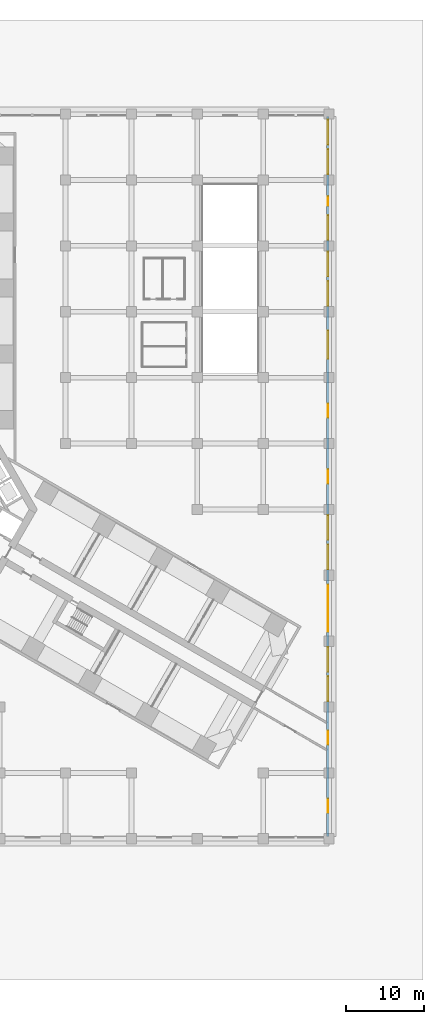
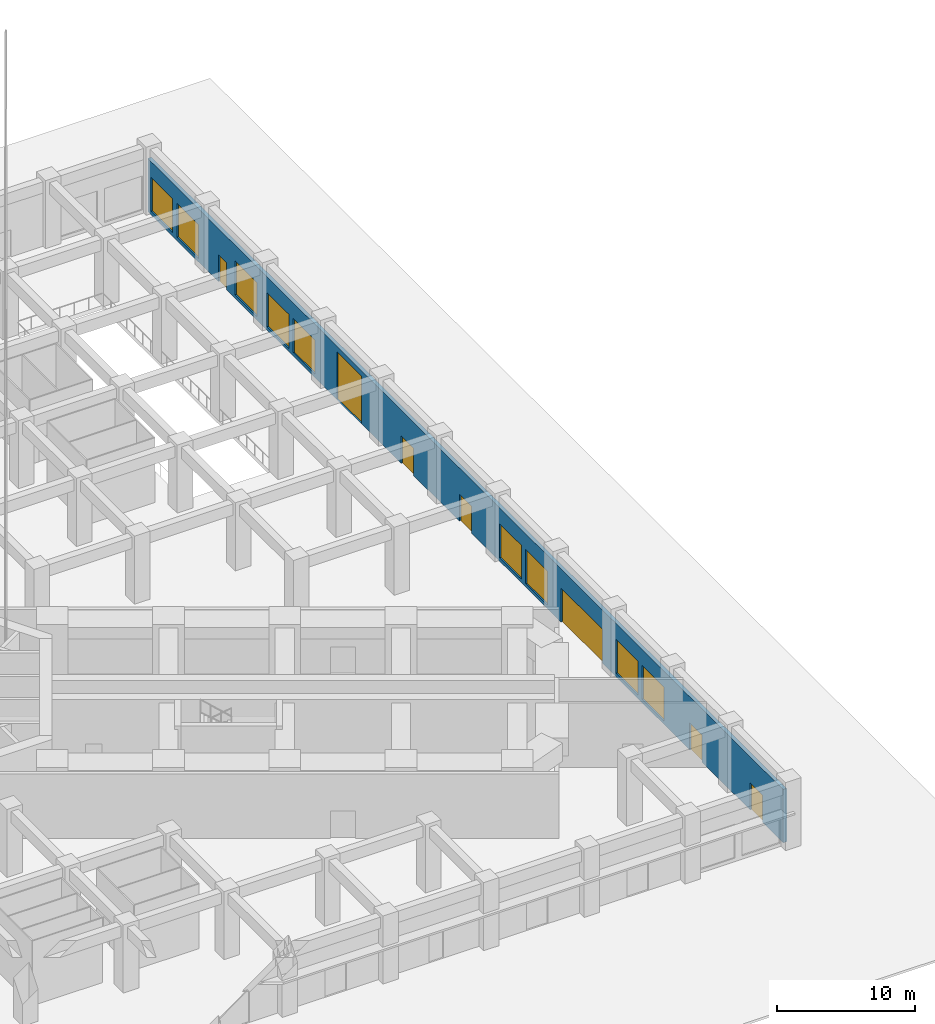
# One storey, part 12 of 33: 9 windows, 7 doors, 1 wall, 16 openings.
"""IFC4 building model written with IfcOpenShell, lengths in metres."""

from ifc_helpers import new_model, si_unit, direction, frame, frame_2d, origin, place, context, subcontext, project, spatial, rectangle, extrude, material, layer, layer_set, type_object, element, fill, save


model = new_model("IFC4")

# Units and contexts
model_context = context("Model", 3, precision=1e-05, world=origin(), true_north=direction((0.0, 1.0)))
body_context = subcontext(model_context, "Body", "Model", "MODEL_VIEW")
ifc_project = project(units=[si_unit("LENGTHUNIT", "METRE"), si_unit("AREAUNIT", "SQUARE_METRE"), si_unit("VOLUMEUNIT", "CUBIC_METRE"), si_unit("PLANEANGLEUNIT", "RADIAN"), si_unit("MASSUNIT", "GRAM", prefix="KILO")], contexts=[model_context])

# Site, building, storey
site_placement = place(None, origin())
site = spatial("IfcSite", under=ifc_project, at=site_placement, CompositionType="ELEMENT")
building_placement = place(site_placement, origin())
building = spatial("IfcBuilding", under=site, at=building_placement, Name="Impinga Residences", CompositionType="ELEMENT")
storey_placement = place(building_placement, origin())
storey = spatial("IfcBuildingStorey", under=building, at=storey_placement, Name="L00", CompositionType="ELEMENT", Elevation=0.0)

# Wall, openings, doors, windows
ifc_material_1 = material(Name="Stone facing on blockwork", Category="masonry")
ifc_layer = layer(ifc_material_1, 0.300048828125)
ifc_layer_set = layer_set([ifc_layer], Name="EW2 external wall, stone facing on blockwork 300")
wall_type = type_object("IfcWallType", Name="EW2 external wall, stone facing on blockwork 300", PredefinedType="SOLIDWALL", material=ifc_layer_set)
wall_placement = place(storey_placement, frame((50.25, 50.10009765625, 0.0), z_axis=(0.0, 0.0, 1.0), x_axis=(0.0, -1.0, 0.0)))
wall = element("IfcWall", 1, at=wall_placement, inside=storey, type_object=wall_type, Name="External wall EW2 L00", PredefinedType="SOLIDWALL", context=body_context, shape_type="SweptSolid", body=[
    extrude(rectangle(XDim=91.800048828125, YDim=0.300048828125, at=frame_2d((45.89990234375, 0.0))), origin(), (0.0, 0.0, 1.0), 4.699951171875),
])
opening_1_placement = place(wall_placement, frame((10.18798828125, 0.0, 0.0)))
opening_1 = element("IfcOpeningElement", 2, at=opening_1_placement, cuts=wall, Name="Opening ED2", PredefinedType="OPENING", context=body_context, shape_type="SweptSolid", body=[
    extrude(rectangle(XDim=1.199951171875, YDim=2.39990234375, at=frame_2d((0.60009765625, 1.199951171875))), frame((0.0, 0.159912109375, 0.0), z_axis=(0.0, -1.0, 0.0), x_axis=(1.0, 0.0, 0.0)), (0.0, 0.0, 1.0), 0.320068359375),
])
opening_2_placement = place(wall_placement, frame((27.300048828125, 0.0, 0.0)))
opening_2 = element("IfcOpeningElement", 3, at=opening_2_placement, cuts=wall, Name="Opening ED3", PredefinedType="OPENING", context=body_context, shape_type="SweptSolid", body=[
    extrude(rectangle(XDim=3.60009765625, YDim=4.199951171875, at=frame_2d((1.800048828125, 2.10009765625))), frame((0.0, 0.159912109375, 0.0), z_axis=(0.0, -1.0, 0.0), x_axis=(1.0, 0.0, 0.0)), (0.0, 0.0, 1.0), 0.320068359375),
])
opening_3_placement = place(wall_placement, frame((36.60009765625, 0.0, 0.0)))
opening_3 = element("IfcOpeningElement", 4, at=opening_3_placement, cuts=wall, Name="Opening ED6", PredefinedType="OPENING", context=body_context, shape_type="SweptSolid", body=[
    extrude(rectangle(XDim=1.800048828125, YDim=2.39990234375, at=frame_2d((0.89990234375, 1.199951171875))), frame((0.0, 0.159912109375, 0.0), z_axis=(0.0, -1.0, 0.0), x_axis=(1.0, 0.0, 0.0)), (0.0, 0.0, 1.0), 0.320068359375),
])
opening_4_placement = place(wall_placement, frame((45.0, 0.0, 0.0)))
opening_4 = element("IfcOpeningElement", 5, at=opening_4_placement, cuts=wall, Name="Opening ED6", PredefinedType="OPENING", context=body_context, shape_type="SweptSolid", body=[
    extrude(rectangle(XDim=1.800048828125, YDim=2.39990234375, at=frame_2d((0.89990234375, 1.199951171875))), frame((0.0, 0.159912109375, 0.0), z_axis=(0.0, -1.0, 0.0), x_axis=(1.0, 0.0, 0.0)), (0.0, 0.0, 1.0), 0.320068359375),
])
opening_5_placement = place(wall_placement, frame((59.699951171875, 0.0, 0.0)))
opening_5 = element("IfcOpeningElement", 6, at=opening_5_placement, cuts=wall, Name="Opening ED4", PredefinedType="OPENING", context=body_context, shape_type="SweptSolid", body=[
    extrude(rectangle(XDim=6.0, YDim=3.0, at=frame_2d((3.0, 1.5))), frame((0.0, 0.159912109375, 0.0), z_axis=(0.0, -1.0, 0.0), x_axis=(1.0, 0.0, 0.0)), (0.0, 0.0, 1.0), 0.320068359375),
])
opening_6_placement = place(wall_placement, frame((78.298095703125, 0.0, 0.0)))
opening_6 = element("IfcOpeningElement", 7, at=opening_6_placement, cuts=wall, Name="Opening ED6", PredefinedType="OPENING", context=body_context, shape_type="SweptSolid", body=[
    extrude(rectangle(XDim=1.800048828125, YDim=2.39990234375, at=frame_2d((0.89990234375, 1.199951171875))), frame((0.0, 0.159912109375, 0.0), z_axis=(0.0, -1.0, 0.0), x_axis=(1.0, 0.0, 0.0)), (0.0, 0.0, 1.0), 0.320068359375),
])
opening_7_placement = place(wall_placement, frame((87.0, 0.0, 0.0)))
opening_7 = element("IfcOpeningElement", 8, at=opening_7_placement, cuts=wall, Name="Opening ED6", PredefinedType="OPENING", context=body_context, shape_type="SweptSolid", body=[
    extrude(rectangle(XDim=1.800048828125, YDim=2.39990234375, at=frame_2d((0.89990234375, 1.199951171875))), frame((0.0, 0.159912109375, 0.0), z_axis=(0.0, -1.0, 0.0), x_axis=(1.0, 0.0, 0.0)), (0.0, 0.0, 1.0), 0.320068359375),
])
opening_8_placement = place(wall_placement, frame((0.449951171875, 0.0, 0.300048828125)))
opening_8 = element("IfcOpeningElement", 9, at=opening_8_placement, cuts=wall, Name="Opening SH1", PredefinedType="OPENING", context=body_context, shape_type="SweptSolid", body=[
    extrude(rectangle(XDim=3.14990234375, YDim=3.0, at=frame_2d((1.574951171875, 1.5))), frame((0.0, 0.159912109375, 0.0), z_axis=(0.0, -1.0, 0.0), x_axis=(1.0, 0.0, 0.0)), (0.0, 0.0, 1.0), 0.320068359375),
])
opening_9_placement = place(wall_placement, frame((4.199951171875, 0.0, 0.300048828125)))
opening_9 = element("IfcOpeningElement", 10, at=opening_9_placement, cuts=wall, Name="Opening SH1", PredefinedType="OPENING", context=body_context, shape_type="SweptSolid", body=[
    extrude(rectangle(XDim=3.14990234375, YDim=3.0, at=frame_2d((1.574951171875, 1.5))), frame((0.0, 0.159912109375, 0.0), z_axis=(0.0, -1.0, 0.0), x_axis=(1.0, 0.0, 0.0)), (0.0, 0.0, 1.0), 0.320068359375),
])
opening_10_placement = place(wall_placement, frame((12.60009765625, 0.0, 0.300048828125)))
opening_10 = element("IfcOpeningElement", 11, at=opening_10_placement, cuts=wall, Name="Opening SH1", PredefinedType="OPENING", context=body_context, shape_type="SweptSolid", body=[
    extrude(rectangle(XDim=3.14990234375, YDim=3.0, at=frame_2d((1.574951171875, 1.5))), frame((0.0, 0.159912109375, 0.0), z_axis=(0.0, -1.0, 0.0), x_axis=(1.0, 0.0, 0.0)), (0.0, 0.0, 1.0), 0.320068359375),
])
opening_11_placement = place(wall_placement, frame((17.25, 0.0, 0.300048828125)))
opening_11 = element("IfcOpeningElement", 12, at=opening_11_placement, cuts=wall, Name="Opening SH1", PredefinedType="OPENING", context=body_context, shape_type="SweptSolid", body=[
    extrude(rectangle(XDim=3.14990234375, YDim=3.0, at=frame_2d((1.574951171875, 1.5))), frame((0.0, 0.159912109375, 0.0), z_axis=(0.0, -1.0, 0.0), x_axis=(1.0, 0.0, 0.0)), (0.0, 0.0, 1.0), 0.320068359375),
])
opening_12_placement = place(wall_placement, frame((21.0, 0.0, 0.300048828125)))
opening_12 = element("IfcOpeningElement", 13, at=opening_12_placement, cuts=wall, Name="Opening SH1", PredefinedType="OPENING", context=body_context, shape_type="SweptSolid", body=[
    extrude(rectangle(XDim=3.14990234375, YDim=3.0, at=frame_2d((1.574951171875, 1.5))), frame((0.0, 0.159912109375, 0.0), z_axis=(0.0, -1.0, 0.0), x_axis=(1.0, 0.0, 0.0)), (0.0, 0.0, 1.0), 0.320068359375),
])
opening_13_placement = place(wall_placement, frame((50.85009765625, 0.0, 0.300048828125)))
opening_13 = element("IfcOpeningElement", 14, at=opening_13_placement, cuts=wall, Name="Opening SH1", PredefinedType="OPENING", context=body_context, shape_type="SweptSolid", body=[
    extrude(rectangle(XDim=3.14990234375, YDim=3.0, at=frame_2d((1.574951171875, 1.5))), frame((0.0, 0.159912109375, 0.0), z_axis=(0.0, -1.0, 0.0), x_axis=(1.0, 0.0, 0.0)), (0.0, 0.0, 1.0), 0.320068359375),
])
opening_14_placement = place(wall_placement, frame((54.60009765625, 0.0, 0.300048828125)))
opening_14 = element("IfcOpeningElement", 15, at=opening_14_placement, cuts=wall, Name="Opening SH1", PredefinedType="OPENING", context=body_context, shape_type="SweptSolid", body=[
    extrude(rectangle(XDim=3.14990234375, YDim=3.0, at=frame_2d((1.574951171875, 1.5))), frame((0.0, 0.159912109375, 0.0), z_axis=(0.0, -1.0, 0.0), x_axis=(1.0, 0.0, 0.0)), (0.0, 0.0, 1.0), 0.320068359375),
])
opening_15_placement = place(wall_placement, frame((67.64990234375, 0.0, 0.300048828125)))
opening_15 = element("IfcOpeningElement", 16, at=opening_15_placement, cuts=wall, Name="Opening SH1", PredefinedType="OPENING", context=body_context, shape_type="SweptSolid", body=[
    extrude(rectangle(XDim=3.14990234375, YDim=3.0, at=frame_2d((1.574951171875, 1.5))), frame((0.0, 0.159912109375, 0.0), z_axis=(0.0, -1.0, 0.0), x_axis=(1.0, 0.0, 0.0)), (0.0, 0.0, 1.0), 0.320068359375),
])
opening_16_placement = place(wall_placement, frame((71.39990234375, 0.0, 0.300048828125)))
opening_16 = element("IfcOpeningElement", 17, at=opening_16_placement, cuts=wall, Name="Opening SH1", PredefinedType="OPENING", context=body_context, shape_type="SweptSolid", body=[
    extrude(rectangle(XDim=3.14990234375, YDim=3.0, at=frame_2d((1.574951171875, 1.5))), frame((0.0, 0.159912109375, 0.0), z_axis=(0.0, -1.0, 0.0), x_axis=(1.0, 0.0, 0.0)), (0.0, 0.0, 1.0), 0.320068359375),
])
ifc_material_2 = material(Name="Steel door, painted", Category="steel")
door_type_1 = type_object("IfcDoorType", Name="ED2 external exit door 1200x2400", OperationType="SINGLE_SWING_LEFT", PredefinedType="DOOR", material=ifc_material_2)
door_1_placement = place(opening_1_placement, origin())
door_1 = element("IfcDoor", 18, at=door_1_placement, inside=storey, type_object=door_type_1, Name="Exit door L00", OperationType="SINGLE_SWING_LEFT", OverallHeight=2.39990234375, OverallWidth=1.199951171875, PredefinedType="DOOR", context=body_context, shape_type="SweptSolid", body=[
    extrude(rectangle(XDim=1.199951171875, YDim=2.39990234375, at=frame_2d((0.60009765625, 1.199951171875))), frame((0.0, 0.02490234375, 0.0), z_axis=(0.0, -1.0, 0.0), x_axis=(1.0, 0.0, 0.0)), (0.0, 0.0, 1.0), 0.050048828125),
])
fill(opening_1, door_1)
ifc_material_3 = material(Name="Steel roller shutter", Category="steel")
door_type_2 = type_object("IfcDoorType", Name="ED3 loading bay roller shutter 3600x4200", OperationType="ROLLINGUP", PredefinedType="DOOR", material=ifc_material_3)
door_2_placement = place(opening_2_placement, origin())
door_2 = element("IfcDoor", 19, at=door_2_placement, inside=storey, type_object=door_type_2, Name="Loading bay shutter L00", OperationType="ROLLINGUP", OverallHeight=4.199951171875, OverallWidth=3.60009765625, PredefinedType="DOOR", context=body_context, shape_type="SweptSolid", body=[
    extrude(rectangle(XDim=3.60009765625, YDim=4.199951171875, at=frame_2d((1.800048828125, 2.10009765625))), frame((0.0, 0.02490234375, 0.0), z_axis=(0.0, -1.0, 0.0), x_axis=(1.0, 0.0, 0.0)), (0.0, 0.0, 1.0), 0.050048828125),
])
fill(opening_2, door_2)
door_type_3 = type_object("IfcDoorType", Name="ED4 car park entrance shutter 6000x3000", OperationType="ROLLINGUP", PredefinedType="DOOR", material=ifc_material_3)
door_3_placement = place(opening_5_placement, origin())
door_3 = element("IfcDoor", 20, at=door_3_placement, inside=storey, type_object=door_type_3, Name="Car park entrance shutter L00", OperationType="ROLLINGUP", OverallHeight=3.0, OverallWidth=6.0, PredefinedType="DOOR", context=body_context, shape_type="SweptSolid", body=[
    extrude(rectangle(XDim=6.0, YDim=3.0, at=frame_2d((3.0, 1.5))), frame((0.0, 0.02490234375, 0.0), z_axis=(0.0, -1.0, 0.0), x_axis=(1.0, 0.0, 0.0)), (0.0, 0.0, 1.0), 0.050048828125),
])
fill(opening_5, door_3)
door_type_4 = type_object("IfcDoorType", Name="ED6 external exit door pair 1800x2400", OperationType="DOUBLE_DOOR_DOUBLE_SWING", PredefinedType="DOOR", material=ifc_material_2)
door_4_placement = place(opening_3_placement, origin())
door_4 = element("IfcDoor", 21, at=door_4_placement, inside=storey, type_object=door_type_4, Name="Exit doors L00", OperationType="DOUBLE_DOOR_DOUBLE_SWING", OverallHeight=2.39990234375, OverallWidth=1.800048828125, PredefinedType="DOOR", context=body_context, shape_type="SweptSolid", body=[
    extrude(rectangle(XDim=1.800048828125, YDim=2.39990234375, at=frame_2d((0.89990234375, 1.199951171875))), frame((0.0, 0.02490234375, 0.0), z_axis=(0.0, -1.0, 0.0), x_axis=(1.0, 0.0, 0.0)), (0.0, 0.0, 1.0), 0.050048828125),
])
fill(opening_3, door_4)
door_5_placement = place(opening_4_placement, origin())
door_5 = element("IfcDoor", 22, at=door_5_placement, inside=storey, type_object=door_type_4, Name="Exit doors L00", OperationType="DOUBLE_DOOR_DOUBLE_SWING", OverallHeight=2.39990234375, OverallWidth=1.800048828125, PredefinedType="DOOR", context=body_context, shape_type="SweptSolid", body=[
    extrude(rectangle(XDim=1.800048828125, YDim=2.39990234375, at=frame_2d((0.89990234375, 1.199951171875))), frame((0.0, 0.02490234375, 0.0), z_axis=(0.0, -1.0, 0.0), x_axis=(1.0, 0.0, 0.0)), (0.0, 0.0, 1.0), 0.050048828125),
])
fill(opening_4, door_5)
door_6_placement = place(opening_6_placement, origin())
door_6 = element("IfcDoor", 23, at=door_6_placement, inside=storey, type_object=door_type_4, Name="Final exit doors E L00", OperationType="DOUBLE_DOOR_DOUBLE_SWING", OverallHeight=2.39990234375, OverallWidth=1.800048828125, PredefinedType="DOOR", context=body_context, shape_type="SweptSolid", body=[
    extrude(rectangle(XDim=1.800048828125, YDim=2.39990234375, at=frame_2d((0.89990234375, 1.199951171875))), frame((0.0, 0.02490234375, 0.0), z_axis=(0.0, -1.0, 0.0), x_axis=(1.0, 0.0, 0.0)), (0.0, 0.0, 1.0), 0.050048828125),
])
fill(opening_6, door_6)
door_7_placement = place(opening_7_placement, origin())
door_7 = element("IfcDoor", 24, at=door_7_placement, inside=storey, type_object=door_type_4, Name="Exit doors L00", OperationType="DOUBLE_DOOR_DOUBLE_SWING", OverallHeight=2.39990234375, OverallWidth=1.800048828125, PredefinedType="DOOR", context=body_context, shape_type="SweptSolid", body=[
    extrude(rectangle(XDim=1.800048828125, YDim=2.39990234375, at=frame_2d((0.89990234375, 1.199951171875))), frame((0.0, 0.02490234375, 0.0), z_axis=(0.0, -1.0, 0.0), x_axis=(1.0, 0.0, 0.0)), (0.0, 0.0, 1.0), 0.050048828125),
])
fill(opening_7, door_7)
ifc_material_4 = material(Name="Aluminium window, clear double glazing", Category="aluminium")
window_type = type_object("IfcWindowType", Name="SH1 shopfront window 3150x3000", PartitioningType="SINGLE_PANEL", PredefinedType="WINDOW", material=ifc_material_4)
window_1_placement = place(opening_8_placement, origin())
window_1 = element("IfcWindow", 25, at=window_1_placement, inside=storey, type_object=window_type, Name="Window L00", OverallHeight=3.0, OverallWidth=3.14990234375, PartitioningType="SINGLE_PANEL", PredefinedType="WINDOW", context=body_context, shape_type="SweptSolid", body=[
    extrude(rectangle(XDim=3.14990234375, YDim=3.0, at=frame_2d((1.574951171875, 1.5))), frame((0.0, 0.030029296875, 0.0), z_axis=(0.0, -1.0, 0.0), x_axis=(1.0, 0.0, 0.0)), (0.0, 0.0, 1.0), 0.06005859375),
])
fill(opening_8, window_1)
window_2_placement = place(opening_9_placement, origin())
window_2 = element("IfcWindow", 26, at=window_2_placement, inside=storey, type_object=window_type, Name="Window L00", OverallHeight=3.0, OverallWidth=3.14990234375, PartitioningType="SINGLE_PANEL", PredefinedType="WINDOW", context=body_context, shape_type="SweptSolid", body=[
    extrude(rectangle(XDim=3.14990234375, YDim=3.0, at=frame_2d((1.574951171875, 1.5))), frame((0.0, 0.030029296875, 0.0), z_axis=(0.0, -1.0, 0.0), x_axis=(1.0, 0.0, 0.0)), (0.0, 0.0, 1.0), 0.06005859375),
])
fill(opening_9, window_2)
window_3_placement = place(opening_10_placement, origin())
window_3 = element("IfcWindow", 27, at=window_3_placement, inside=storey, type_object=window_type, Name="Window L00", OverallHeight=3.0, OverallWidth=3.14990234375, PartitioningType="SINGLE_PANEL", PredefinedType="WINDOW", context=body_context, shape_type="SweptSolid", body=[
    extrude(rectangle(XDim=3.14990234375, YDim=3.0, at=frame_2d((1.574951171875, 1.5))), frame((0.0, 0.030029296875, 0.0), z_axis=(0.0, -1.0, 0.0), x_axis=(1.0, 0.0, 0.0)), (0.0, 0.0, 1.0), 0.06005859375),
])
fill(opening_10, window_3)
window_4_placement = place(opening_11_placement, origin())
window_4 = element("IfcWindow", 28, at=window_4_placement, inside=storey, type_object=window_type, Name="Window L00", OverallHeight=3.0, OverallWidth=3.14990234375, PartitioningType="SINGLE_PANEL", PredefinedType="WINDOW", context=body_context, shape_type="SweptSolid", body=[
    extrude(rectangle(XDim=3.14990234375, YDim=3.0, at=frame_2d((1.574951171875, 1.5))), frame((0.0, 0.030029296875, 0.0), z_axis=(0.0, -1.0, 0.0), x_axis=(1.0, 0.0, 0.0)), (0.0, 0.0, 1.0), 0.06005859375),
])
fill(opening_11, window_4)
window_5_placement = place(opening_12_placement, origin())
window_5 = element("IfcWindow", 29, at=window_5_placement, inside=storey, type_object=window_type, Name="Window L00", OverallHeight=3.0, OverallWidth=3.14990234375, PartitioningType="SINGLE_PANEL", PredefinedType="WINDOW", context=body_context, shape_type="SweptSolid", body=[
    extrude(rectangle(XDim=3.14990234375, YDim=3.0, at=frame_2d((1.574951171875, 1.5))), frame((0.0, 0.030029296875, 0.0), z_axis=(0.0, -1.0, 0.0), x_axis=(1.0, 0.0, 0.0)), (0.0, 0.0, 1.0), 0.06005859375),
])
fill(opening_12, window_5)
window_6_placement = place(opening_13_placement, origin())
window_6 = element("IfcWindow", 30, at=window_6_placement, inside=storey, type_object=window_type, Name="Window L00", OverallHeight=3.0, OverallWidth=3.14990234375, PartitioningType="SINGLE_PANEL", PredefinedType="WINDOW", context=body_context, shape_type="SweptSolid", body=[
    extrude(rectangle(XDim=3.14990234375, YDim=3.0, at=frame_2d((1.574951171875, 1.5))), frame((0.0, 0.030029296875, 0.0), z_axis=(0.0, -1.0, 0.0), x_axis=(1.0, 0.0, 0.0)), (0.0, 0.0, 1.0), 0.06005859375),
])
fill(opening_13, window_6)
window_7_placement = place(opening_14_placement, origin())
window_7 = element("IfcWindow", 31, at=window_7_placement, inside=storey, type_object=window_type, Name="Window L00", OverallHeight=3.0, OverallWidth=3.14990234375, PartitioningType="SINGLE_PANEL", PredefinedType="WINDOW", context=body_context, shape_type="SweptSolid", body=[
    extrude(rectangle(XDim=3.14990234375, YDim=3.0, at=frame_2d((1.574951171875, 1.5))), frame((0.0, 0.030029296875, 0.0), z_axis=(0.0, -1.0, 0.0), x_axis=(1.0, 0.0, 0.0)), (0.0, 0.0, 1.0), 0.06005859375),
])
fill(opening_14, window_7)
window_8_placement = place(opening_15_placement, origin())
window_8 = element("IfcWindow", 32, at=window_8_placement, inside=storey, type_object=window_type, Name="Window L00", OverallHeight=3.0, OverallWidth=3.14990234375, PartitioningType="SINGLE_PANEL", PredefinedType="WINDOW", context=body_context, shape_type="SweptSolid", body=[
    extrude(rectangle(XDim=3.14990234375, YDim=3.0, at=frame_2d((1.574951171875, 1.5))), frame((0.0, 0.030029296875, 0.0), z_axis=(0.0, -1.0, 0.0), x_axis=(1.0, 0.0, 0.0)), (0.0, 0.0, 1.0), 0.06005859375),
])
fill(opening_15, window_8)
window_9_placement = place(opening_16_placement, origin())
window_9 = element("IfcWindow", 33, at=window_9_placement, inside=storey, type_object=window_type, Name="Window L00", OverallHeight=3.0, OverallWidth=3.14990234375, PartitioningType="SINGLE_PANEL", PredefinedType="WINDOW", context=body_context, shape_type="SweptSolid", body=[
    extrude(rectangle(XDim=3.14990234375, YDim=3.0, at=frame_2d((1.574951171875, 1.5))), frame((0.0, 0.030029296875, 0.0), z_axis=(0.0, -1.0, 0.0), x_axis=(1.0, 0.0, 0.0)), (0.0, 0.0, 1.0), 0.06005859375),
])
fill(opening_16, window_9)

save(model, "model.ifc")
